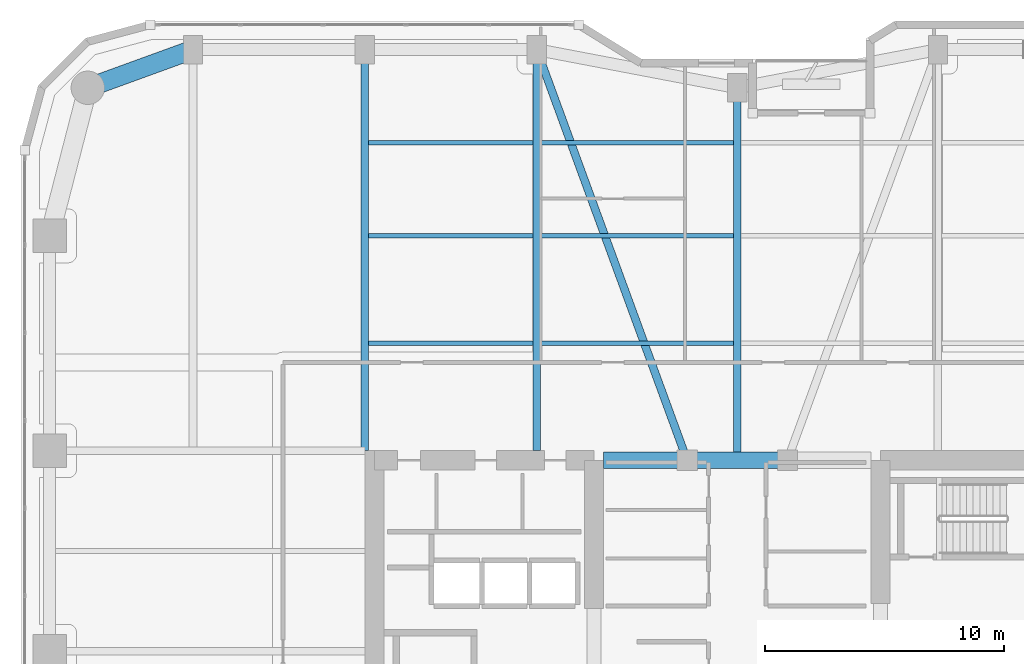
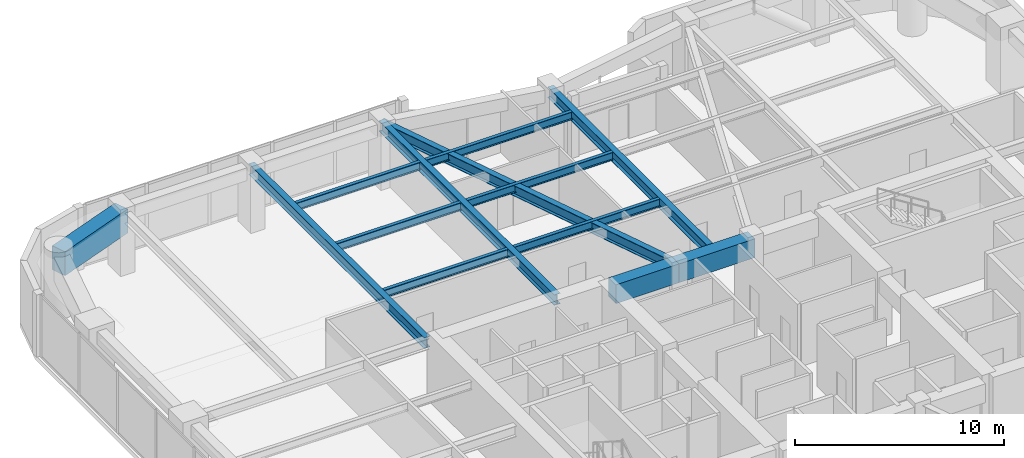
# One storey, part 12 of 24: 13 beams.
"""IFC4 building model written with IfcOpenShell, lengths in metres."""

from ifc_helpers import new_model, si_unit, direction, frame, origin, origin_2d, place, context, subcontext, project, spatial, rectangle, i_section, extrude, material, material_profile, profile_set, type_object, element, save


model = new_model("IFC4")

# Units and contexts
model_context = context("Model", 3, precision=1e-05, world=origin(), true_north=direction((0.0, 1.0)))
body_context = subcontext(model_context, "Body", "Model", "MODEL_VIEW")
ifc_project = project(units=[si_unit("LENGTHUNIT", "METRE"), si_unit("AREAUNIT", "SQUARE_METRE"), si_unit("VOLUMEUNIT", "CUBIC_METRE"), si_unit("PLANEANGLEUNIT", "RADIAN"), si_unit("MASSUNIT", "GRAM", prefix="KILO")], contexts=[model_context])

# Site, building, storey
site_placement = place(None, origin())
site = spatial("IfcSite", under=ifc_project, at=site_placement, CompositionType="ELEMENT")
building_placement = place(site_placement, origin())
building = spatial("IfcBuilding", under=site, at=building_placement, Name="Kiyonajd Concourse Tower", CompositionType="ELEMENT")
storey_placement = place(building_placement, frame((0.0, 0.0, 105.300048828125)))
storey = spatial("IfcBuildingStorey", under=building, at=storey_placement, Name="L27", CompositionType="ELEMENT", Elevation=105.300048828125)

# Beams
ifc_material_1 = material(Name="Concrete C70/85", Category="concrete")
ifc_material_profile_1 = material_profile(ifc_material_1, rectangle(XDim=0.699951171875, YDim=1.10009765625, at=origin_2d()), Name="RCBM-700x1100")
ifc_profile_set_1 = profile_set([ifc_material_profile_1], Name="Concrete C70/85")
beam_type_1 = type_object("IfcBeamType", Name="BM-COUP-1100", PredefinedType="LINTEL", material=ifc_profile_set_1)
beam_1_placement = place(storey_placement, frame((42.39990234375, 44.0, 3.08984375), z_axis=(1.0, 0.0, 0.0), x_axis=(0.0, 1.0, 0.0)))
element("IfcBeam", 1, at=beam_1_placement, inside=storey, type_object=beam_type_1, Name="L27 Core Coupling Beam N1", PredefinedType="LINTEL", context=body_context, shape_type="SweptSolid", body=[
    extrude(rectangle(XDim=0.699951171875, YDim=1.10009765625, at=origin_2d()), origin(), (0.0, 0.0, 1.0), 3.5),
])
beam_2_placement = place(storey_placement, frame((45.89990234375, 44.0, 3.08984375), z_axis=(1.0, 0.0, 0.0), x_axis=(0.0, 1.0, 0.0)))
element("IfcBeam", 2, at=beam_2_placement, inside=storey, type_object=beam_type_1, Name="L27 Core Coupling Beam N2", PredefinedType="LINTEL", context=body_context, shape_type="SweptSolid", body=[
    extrude(rectangle(XDim=0.699951171875, YDim=1.10009765625, at=origin_2d()), origin(), (0.0, 0.0, 1.0), 4.2001953125),
])
ifc_material_2 = material(Name="Steel ASTM A992 Grade 50", Category="steel")
ifc_material_profile_2 = material_profile(ifc_material_2, i_section(OverallWidth=0.19189453125, OverallDepth=0.462890625, WebThickness=0.010498046875, FlangeThickness=0.017578125, at=origin_2d()), Name="W460X89")
ifc_profile_set_2 = profile_set([ifc_material_profile_2], Name="Steel ASTM A992 Grade 50")
beam_type_2 = type_object("IfcBeamType", Name="BM-JST-460B", PredefinedType="JOIST", material=ifc_profile_set_2)
beam_3_placement = place(storey_placement, frame((32.5634765625, 48.89990234375, 3.408447265625), z_axis=(1.0, 0.0, 0.0), x_axis=(0.0, 1.0, 0.0)))
element("IfcBeam", 3, at=beam_3_placement, inside=storey, type_object=beam_type_2, Name="L27 Secondary Floor Joist", PredefinedType="JOIST", context=body_context, shape_type="SweptSolid", body=[
    extrude(i_section(OverallWidth=0.19189453125, OverallDepth=0.462890625, WebThickness=0.010498046875, FlangeThickness=0.017578125, at=origin_2d()), origin(), (0.0, 0.0, 1.0), 6.873046875),
])
beam_4_placement = place(storey_placement, frame((39.763427734375, 48.89990234375, 3.408447265625), z_axis=(1.0, 0.0, 0.0), x_axis=(0.0, 1.0, 0.0)))
element("IfcBeam", 4, at=beam_4_placement, inside=storey, type_object=beam_type_2, Name="L27 Secondary Floor Joist", PredefinedType="JOIST", context=body_context, shape_type="SweptSolid", body=[
    extrude(i_section(OverallWidth=0.19189453125, OverallDepth=0.462890625, WebThickness=0.010498046875, FlangeThickness=0.017578125, at=origin_2d()), origin(), (0.0, 0.0, 1.0), 8.072998046875),
])
beam_5_placement = place(storey_placement, frame((32.5634765625, 53.39990234375, 3.408447265625), z_axis=(1.0, 0.0, 0.0), x_axis=(0.0, 1.0, 0.0)))
element("IfcBeam", 5, at=beam_5_placement, inside=storey, type_object=beam_type_2, Name="L27 Secondary Floor Joist", PredefinedType="JOIST", context=body_context, shape_type="SweptSolid", body=[
    extrude(i_section(OverallWidth=0.19189453125, OverallDepth=0.462890625, WebThickness=0.010498046875, FlangeThickness=0.017578125, at=origin_2d()), origin(), (0.0, 0.0, 1.0), 6.873046875),
])
beam_6_placement = place(storey_placement, frame((39.763427734375, 53.39990234375, 3.408447265625), z_axis=(1.0, 0.0, 0.0), x_axis=(0.0, 1.0, 0.0)))
element("IfcBeam", 6, at=beam_6_placement, inside=storey, type_object=beam_type_2, Name="L27 Secondary Floor Joist", PredefinedType="JOIST", context=body_context, shape_type="SweptSolid", body=[
    extrude(i_section(OverallWidth=0.19189453125, OverallDepth=0.462890625, WebThickness=0.010498046875, FlangeThickness=0.017578125, at=origin_2d()), origin(), (0.0, 0.0, 1.0), 8.072998046875),
])
beam_7_placement = place(storey_placement, frame((32.5634765625, 57.300048828125, 3.408447265625), z_axis=(1.0, 0.0, 0.0), x_axis=(0.0, 1.0, 0.0)))
element("IfcBeam", 7, at=beam_7_placement, inside=storey, type_object=beam_type_2, Name="L27 Secondary Floor Joist", PredefinedType="JOIST", context=body_context, shape_type="SweptSolid", body=[
    extrude(i_section(OverallWidth=0.19189453125, OverallDepth=0.462890625, WebThickness=0.010498046875, FlangeThickness=0.017578125, at=origin_2d()), origin(), (0.0, 0.0, 1.0), 6.873046875),
])
beam_8_placement = place(storey_placement, frame((39.763427734375, 57.300048828125, 3.408447265625), z_axis=(1.0, 0.0, 0.0), x_axis=(0.0, 1.0, 0.0)))
element("IfcBeam", 8, at=beam_8_placement, inside=storey, type_object=beam_type_2, Name="L27 Secondary Floor Joist", PredefinedType="JOIST", context=body_context, shape_type="SweptSolid", body=[
    extrude(i_section(OverallWidth=0.19189453125, OverallDepth=0.462890625, WebThickness=0.010498046875, FlangeThickness=0.017578125, at=origin_2d()), origin(), (0.0, 0.0, 1.0), 8.072998046875),
])
ifc_material_profile_3 = material_profile(ifc_material_2, i_section(OverallWidth=0.326904296875, OverallDepth=0.6220703125, WebThickness=0.015380859375, FlangeThickness=0.0244140625, at=origin_2d()), Name="W610X195")
ifc_profile_set_3 = profile_set([ifc_material_profile_3], Name="Steel ASTM A992 Grade 50")
beam_type_3 = type_object("IfcBeamType", Name="BM-TWR-610A", PredefinedType="BEAM", material=ifc_profile_set_3)
beam_9_placement = place(storey_placement, frame((39.60009765625, 61.199951171875, 3.328857421875), z_axis=(0.343925269715, -0.938997022813, 0.0), x_axis=(0.938997022813, 0.343925269715, 0.0)))
element("IfcBeam", 9, at=beam_9_placement, inside=storey, type_object=beam_type_3, Name="L27 Core Tie Girder", PredefinedType="BEAM", context=body_context, shape_type="SweptSolid", body=[
    extrude(i_section(OverallWidth=0.326904296875, OverallDepth=0.6220703125, WebThickness=0.015380859375, FlangeThickness=0.0244140625, at=origin_2d()), origin(), (0.0, 0.0, 1.0), 18.3173828125),
])
for number, where, z_axis, x_axis, name in (
    (10, (32.39990234375, 44.39990234375, 3.328857421875), (0.0, 1.0, 0.0), (-1.0, 0.0, 0.0), "L27 North Lease Girder"),
    (11, (39.60009765625, 44.39990234375, 3.328857421875), (0.0, 1.0, 0.0), (-1.0, 0.0, 0.0), "L27 North Lease Girder"),
):
    element("IfcBeam", number, at=place(storey_placement, frame(where, z_axis=z_axis, x_axis=x_axis)), inside=storey, type_object=beam_type_3, Name=name, PredefinedType="BEAM", context=body_context, shape_type="SweptSolid", body=[
        extrude(i_section(OverallWidth=0.326904296875, OverallDepth=0.6220703125, WebThickness=0.015380859375, FlangeThickness=0.0244140625, at=origin_2d()), origin(), (0.0, 0.0, 1.0), 16.800048828125),
    ])
beam_10_placement = place(storey_placement, frame((48.0, 44.0, 3.328857421875), z_axis=(0.0, 1.0, 0.0), x_axis=(-1.0, 0.0, 0.0)))
element("IfcBeam", 12, at=beam_10_placement, inside=storey, type_object=beam_type_3, Name="L27 North Ribbon Girder", PredefinedType="BEAM", context=body_context, shape_type="SweptSolid", body=[
    extrude(i_section(OverallWidth=0.326904296875, OverallDepth=0.6220703125, WebThickness=0.015380859375, FlangeThickness=0.0244140625, at=origin_2d()), origin(), (0.0, 0.0, 1.0), 15.60009765625),
])
ifc_material_3 = material(Name="Concrete C60/75", Category="concrete")
ifc_material_profile_4 = material_profile(ifc_material_3, rectangle(XDim=0.800048828125, YDim=1.39990234375, at=origin_2d()), Name="RCBM-800x1400")
ifc_profile_set_4 = profile_set([ifc_material_profile_4], Name="Concrete C60/75")
beam_type_4 = type_object("IfcBeamType", Name="BM-XFER-RC", PredefinedType="BEAM", material=ifc_profile_set_4)
beam_11_placement = place(storey_placement, frame((25.199951171875, 61.199951171875, 2.93994140625), z_axis=(-0.939801036019, -0.341722127901, 0.0), x_axis=(0.341722127901, -0.939801036019, 0.0)))
element("IfcBeam", 13, at=beam_11_placement, inside=storey, type_object=beam_type_4, Name="L27 Perimeter Bundled Tube Spandrel", PredefinedType="BEAM", context=body_context, shape_type="SweptSolid", body=[
    extrude(rectangle(XDim=0.800048828125, YDim=1.39990234375, at=origin_2d()), origin(), (0.0, 0.0, 1.0), 4.681640625),
])

save(model, "model.ifc")
